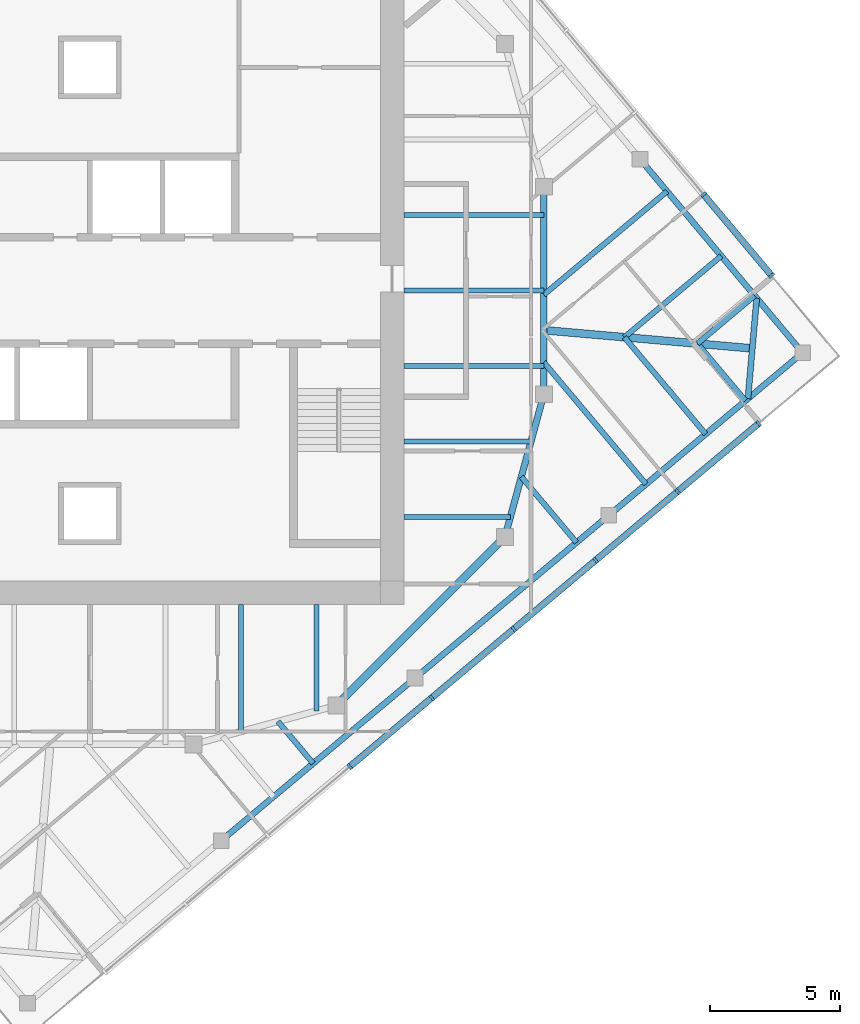
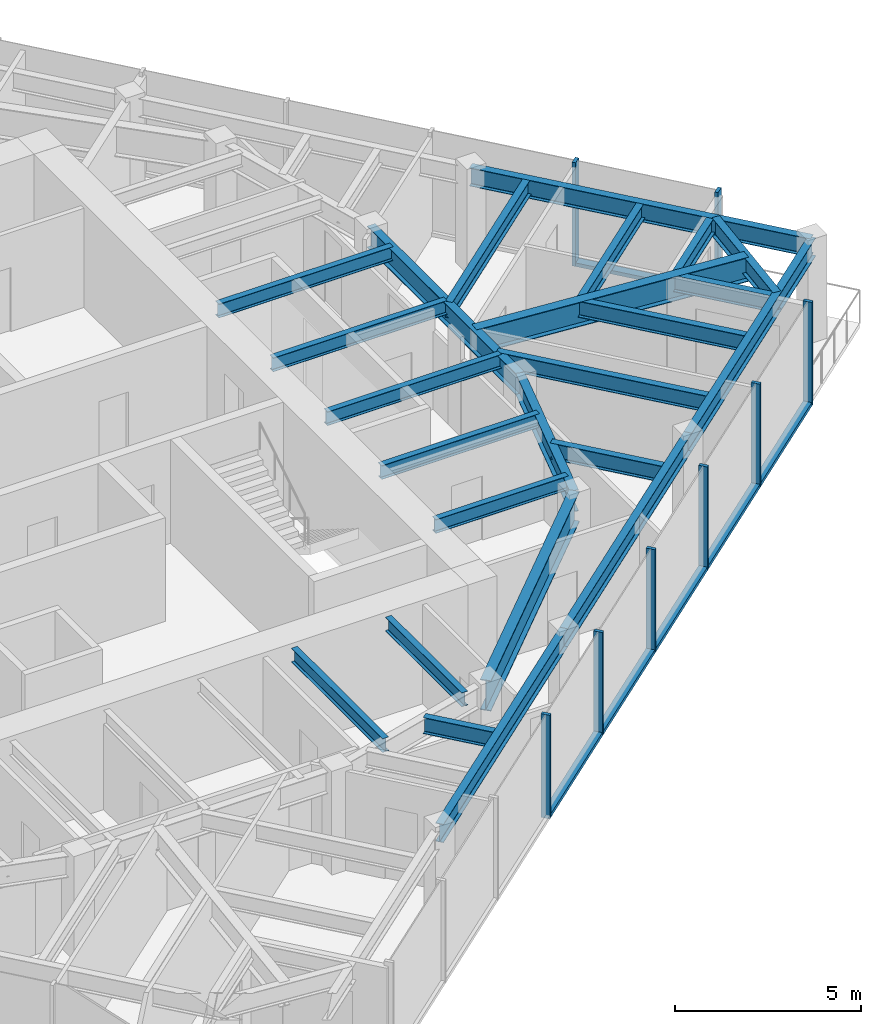
# One storey, part 3 of 11: 24 beams, 14 members, 2 elements without a shape of their own.
"""IFC4 building model written with IfcOpenShell, lengths in metres."""

from ifc_helpers import new_model, si_unit, direction, frame, origin, origin_2d, place, context, subcontext, project, spatial, rectangle, i_section, extrude, material, material_profile, profile_set, type_object, element, aggregate, save


model = new_model("IFC4")

# Units and contexts
model_context = context("Model", 3, precision=1e-05, world=origin(), true_north=direction((0.0, 1.0)))
body_context = subcontext(model_context, "Body", "Model", "MODEL_VIEW")
ifc_project = project(units=[si_unit("LENGTHUNIT", "METRE"), si_unit("AREAUNIT", "SQUARE_METRE"), si_unit("VOLUMEUNIT", "CUBIC_METRE"), si_unit("PLANEANGLEUNIT", "RADIAN"), si_unit("MASSUNIT", "GRAM", prefix="KILO")], contexts=[model_context])

# Site, building, storey
site_placement = place(None, origin())
site = spatial("IfcSite", under=ifc_project, at=site_placement, CompositionType="ELEMENT")
building_placement = place(site_placement, origin())
building = spatial("IfcBuilding", under=site, at=building_placement, Name="Torsade Residences", CompositionType="ELEMENT")
storey_placement = place(building_placement, frame((0.0, 0.0, 276.0)))
storey = spatial("IfcBuildingStorey", under=building, at=storey_placement, Name="L76", CompositionType="ELEMENT", Elevation=276.0)

# Beams
ifc_material_1 = material(Name="Steel grade 300", Category="steel")
ifc_material_profile_1 = material_profile(ifc_material_1, i_section(OverallWidth=0.300048828125, OverallDepth=0.800048828125, WebThickness=0.010009765625, FlangeThickness=0.02001953125, at=origin_2d()), Name="800WB146")
ifc_profile_set_1 = profile_set([ifc_material_profile_1], Name="Steel grade 300")
beam_type_1 = type_object("IfcBeamType", Name="CORNER GIRDER 800WB146", PredefinedType="BEAM", material=ifc_profile_set_1)
beam_1_placement = place(storey_placement, frame((65.53515625, 27.765869140625, 2.85009765625), z_axis=(-0.996193191806, 0.087172957961, 0.0), x_axis=(-0.087172957961, -0.996193191806, 0.0)))
element("IfcBeam", 1, at=beam_1_placement, inside=storey, type_object=beam_type_1, Name="Corner girder 05 L77", PredefinedType="BEAM", context=body_context, shape_type="SweptSolid", body=[
    extrude(i_section(OverallWidth=0.300048828125, OverallDepth=0.800048828125, WebThickness=0.010009765625, FlangeThickness=0.02001953125, at=origin_2d()), origin(), (0.0, 0.0, 1.0), 8.06591796875),
])
ifc_material_2 = material(Name="Steel grade 300", Category="steel")
ifc_material_profile_2 = material_profile(ifc_material_2, i_section(OverallWidth=0.22802734375, OverallDepth=0.60205078125, WebThickness=0.010498046875, FlangeThickness=0.014892578125, FilletRadius=0.013916015625, at=origin_2d()), Name="610UB101")
ifc_profile_set_2 = profile_set([ifc_material_profile_2], Name="Steel grade 300")
beam_type_2 = type_object("IfcBeamType", Name="CORNER TRIMMER 610UB101", PredefinedType="BEAM", material=ifc_profile_set_2)
beam_2_placement = place(storey_placement, frame((65.70458984375, 29.703125, 2.948974609375), z_axis=(-0.087133464362, -0.996196646947, 0.0), x_axis=(0.996196646947, -0.087133464362, 0.0)))
element("IfcBeam", 2, at=beam_2_placement, inside=storey, type_object=beam_type_2, Name="Corner trimmer 05 L77", PredefinedType="BEAM", context=body_context, shape_type="SweptSolid", body=[
    extrude(i_section(OverallWidth=0.22802734375, OverallDepth=0.60205078125, WebThickness=0.010498046875, FlangeThickness=0.014892578125, FilletRadius=0.013916015625, at=origin_2d()), origin(), (0.0, 0.0, 1.0), 3.88916015625),
])
ifc_material_3 = material(Name="Steel grade 300", Category="steel")
ifc_material_profile_3 = material_profile(ifc_material_3, i_section(OverallWidth=0.22802734375, OverallDepth=0.60205078125, WebThickness=0.010498046875, FlangeThickness=0.014892578125, FilletRadius=0.013916015625, at=origin_2d()), Name="610UB101")
ifc_profile_set_3 = profile_set([ifc_material_profile_3], Name="Steel grade 300")
beam_type_3 = type_object("IfcBeamType", Name="EDGE BEAM 610UB101", PredefinedType="SPANDREL", material=ifc_profile_set_3)
for number, where, z_axis, x_axis, name in (
    (3, (45.0654296875, 8.794921875, 2.948974609375), (0.766051532934, 0.642779160279, 0.0), (-0.642779160279, 0.766051532934, 0.0), "Edge beam 02 L77"),
    (4, (52.534423828125, 15.06201171875, 2.948974609375), (0.766028856906, 0.642806184154, 0.0), (-0.642806184154, 0.766028856906, 0.0), "Edge beam 03 L77"),
    (5, (60.003173828125, 21.329345703125, 2.948974609375), (0.766051532934, 0.642779160279, 0.0), (-0.642779160279, 0.766051532934, 0.0), "Edge beam 04 L77"),
    (6, (67.47216796875, 27.596435546875, 2.948974609375), (-0.642779160279, 0.766051532934, 0.0), (-0.766051532934, -0.642779160279, 0.0), "Edge beam 05 L77"),
):
    element("IfcBeam", number, at=place(storey_placement, frame(where, z_axis=z_axis, x_axis=x_axis)), inside=storey, type_object=beam_type_3, Name=name, PredefinedType="SPANDREL", context=body_context, shape_type="SweptSolid", body=[
        extrude(i_section(OverallWidth=0.22802734375, OverallDepth=0.60205078125, WebThickness=0.010498046875, FlangeThickness=0.014892578125, FilletRadius=0.013916015625, at=origin_2d()), origin(), (0.0, 0.0, 1.0), 9.75),
    ])

# Curtain wall, members
ifc_material_4 = material(Name="Aluminium and glass", Category="aluminium")
curtain_wall_type = type_object("IfcCurtainWallType", Name="FRITTED GLASS CURTAIN WALL HIGH ZONE", PredefinedType="NOTDEFINED", material=ifc_material_4)
curtain_wall_1_placement = place(storey_placement, origin())
curtain_wall_1 = element("IfcCurtainWall", 7, at=curtain_wall_1_placement, inside=storey, type_object=curtain_wall_type, Name="Curtain wall L76 face 1", PredefinedType="NOTDEFINED")
ifc_material_5 = material(Name="Aluminium mullion", Category="aluminium")
ifc_material_profile_4 = material_profile(ifc_material_5, rectangle(XDim=0.25, YDim=0.10009765625, at=origin_2d()), Name="HIGH ZONE CURTAIN WALL MULLION 250x100")
ifc_profile_set_4 = profile_set([ifc_material_profile_4], Name="Aluminium mullion")
member_type_1 = type_object("IfcMemberType", Name="HIGH ZONE CURTAIN WALL MULLION 250x100", PredefinedType="MULLION", material=ifc_profile_set_4)
member_1_placement = place(storey_placement, frame((50.017333984375, 11.64453125, 0.0), z_axis=(0.0, 0.0, 1.0), x_axis=(-0.642787616853, 0.766044437106, 0.0)))
member_1 = element("IfcMember", 8, at=member_1_placement, type_object=member_type_1, Name="Mullion 4", PredefinedType="MULLION", context=body_context, shape_type="SweptSolid", body=[
    extrude(rectangle(XDim=0.25, YDim=0.10009765625, at=origin_2d()), origin(), (0.0, 0.0, 1.0), 3.39990234375),
])
member_2_placement = place(storey_placement, frame((53.17724609375, 14.296142578125, 0.0), z_axis=(0.0, 0.0, 1.0), x_axis=(-0.642787616853, 0.766044437106, 0.0)))
member_2 = element("IfcMember", 9, at=member_2_placement, type_object=member_type_1, Name="Mullion 5", PredefinedType="MULLION", context=body_context, shape_type="SweptSolid", body=[
    extrude(rectangle(XDim=0.25, YDim=0.10009765625, at=origin_2d()), origin(), (0.0, 0.0, 1.0), 3.39990234375),
])
member_3_placement = place(storey_placement, frame((56.337158203125, 16.947509765625, 0.0), z_axis=(0.0, 0.0, 1.0), x_axis=(-0.642787616853, 0.766044437106, 0.0)))
member_3 = element("IfcMember", 10, at=member_3_placement, type_object=member_type_1, Name="Mullion 6", PredefinedType="MULLION", context=body_context, shape_type="SweptSolid", body=[
    extrude(rectangle(XDim=0.25, YDim=0.10009765625, at=origin_2d()), origin(), (0.0, 0.0, 1.0), 3.39990234375),
])
member_4_placement = place(storey_placement, frame((59.4970703125, 19.59912109375, 0.0), z_axis=(0.0, 0.0, 1.0), x_axis=(-0.642787616853, 0.766044437106, 0.0)))
member_4 = element("IfcMember", 11, at=member_4_placement, type_object=member_type_1, Name="Mullion 7", PredefinedType="MULLION", context=body_context, shape_type="SweptSolid", body=[
    extrude(rectangle(XDim=0.25, YDim=0.10009765625, at=origin_2d()), origin(), (0.0, 0.0, 1.0), 3.39990234375),
])
member_5_placement = place(storey_placement, frame((62.656982421875, 22.25048828125, 0.0), z_axis=(0.0, 0.0, 1.0), x_axis=(-0.642787616853, 0.766044437106, 0.0)))
member_5 = element("IfcMember", 12, at=member_5_placement, type_object=member_type_1, Name="Mullion 8", PredefinedType="MULLION", context=body_context, shape_type="SweptSolid", body=[
    extrude(rectangle(XDim=0.25, YDim=0.10009765625, at=origin_2d()), origin(), (0.0, 0.0, 1.0), 3.39990234375),
])
member_6_placement = place(storey_placement, frame((65.778564453125, 24.869873046875, 0.0), z_axis=(0.0, 0.0, 1.0), x_axis=(-0.642787616853, 0.766044437106, 0.0)))
member_6 = element("IfcMember", 13, at=member_6_placement, type_object=member_type_1, Name="Mullion 9", PredefinedType="MULLION", context=body_context, shape_type="SweptSolid", body=[
    extrude(rectangle(XDim=0.25, YDim=0.10009765625, at=origin_2d()), origin(), (0.0, 0.0, 1.0), 3.39990234375),
])

curtain_wall_2_placement = place(storey_placement, origin())
curtain_wall_2 = element("IfcCurtainWall", 14, at=curtain_wall_2_placement, inside=storey, type_object=curtain_wall_type, Name="Curtain wall L76 face 4", PredefinedType="NOTDEFINED")
member_7_placement = place(storey_placement, frame((66.27783203125, 30.57568359375, 0.0), z_axis=(0.0, 0.0, 1.0), x_axis=(-0.766044437106, -0.642787616853, 0.0)))
member_7 = element("IfcMember", 15, at=member_7_placement, type_object=member_type_1, Name="Mullion 1", PredefinedType="MULLION", context=body_context, shape_type="SweptSolid", body=[
    extrude(rectangle(XDim=0.25, YDim=0.10009765625, at=origin_2d()), origin(), (0.0, 0.0, 1.0), 3.39990234375),
])
member_8_placement = place(storey_placement, frame((63.658447265625, 33.697265625, 0.0), z_axis=(0.0, 0.0, 1.0), x_axis=(-0.766044437106, -0.642787616853, 0.0)))
member_8 = element("IfcMember", 16, at=member_8_placement, type_object=member_type_1, Name="Mullion 2", PredefinedType="MULLION", context=body_context, shape_type="SweptSolid", body=[
    extrude(rectangle(XDim=0.25, YDim=0.10009765625, at=origin_2d()), origin(), (0.0, 0.0, 1.0), 3.39990234375),
])

# Member
ifc_material_6 = material(Name="Aluminium transom", Category="aluminium")
ifc_material_profile_5 = material_profile(ifc_material_6, rectangle(XDim=0.25, YDim=0.1201171875, at=origin_2d()), Name="HIGH ZONE CURTAIN WALL TRANSOM 250x120")
ifc_profile_set_5 = profile_set([ifc_material_profile_5], Name="Aluminium transom")
member_type_2 = type_object("IfcMemberType", Name="HIGH ZONE CURTAIN WALL TRANSOM 250x120", PredefinedType="USERDEFINED", material=ifc_profile_set_5)
member_9_placement = place(storey_placement, frame((50.055419921875, 11.6767578125, 0.06005859375), z_axis=(0.766069182322, 0.6427581255, 0.0), x_axis=(-0.6427581255, 0.766069182322, 0.0)))
member_9 = element("IfcMember", 17, at=member_9_placement, type_object=member_type_2, Name="Transom 4.1", ObjectType="TRANSOM", PredefinedType="USERDEFINED", context=body_context, shape_type="SweptSolid", body=[
    extrude(rectangle(XDim=0.25, YDim=0.1201171875, at=origin_2d()), origin(), (0.0, 0.0, 1.0), 4.025146484375),
])

member_10_placement = place(storey_placement, frame((53.21533203125, 14.328125, 0.06005859375), z_axis=(0.766039316443, 0.642793719372, 0.0), x_axis=(-0.642793719372, 0.766039316443, 0.0)))
member_10 = element("IfcMember", 18, at=member_10_placement, type_object=member_type_2, Name="Transom 5.1", ObjectType="TRANSOM", PredefinedType="USERDEFINED", context=body_context, shape_type="SweptSolid", body=[
    extrude(rectangle(XDim=0.25, YDim=0.1201171875, at=origin_2d()), origin(), (0.0, 0.0, 1.0), 4.025146484375),
])

member_11_placement = place(storey_placement, frame((56.37548828125, 16.979736328125, 0.06005859375), z_axis=(0.766044121803, 0.642787992616, 0.0), x_axis=(-0.642787992616, 0.766044121803, 0.0)))
member_11 = element("IfcMember", 19, at=member_11_placement, type_object=member_type_2, Name="Transom 6.1", ObjectType="TRANSOM", PredefinedType="USERDEFINED", context=body_context, shape_type="SweptSolid", body=[
    extrude(rectangle(XDim=0.25, YDim=0.1201171875, at=origin_2d()), origin(), (0.0, 0.0, 1.0), 4.02490234375),
])

member_12_placement = place(storey_placement, frame((59.535400390625, 19.63134765625, 0.06005859375), z_axis=(0.766044121803, 0.642787992616, 0.0), x_axis=(-0.642787992616, 0.766044121803, 0.0)))
member_12 = element("IfcMember", 20, at=member_12_placement, type_object=member_type_2, Name="Transom 7.1", ObjectType="TRANSOM", PredefinedType="USERDEFINED", context=body_context, shape_type="SweptSolid", body=[
    extrude(rectangle(XDim=0.25, YDim=0.1201171875, at=origin_2d()), origin(), (0.0, 0.0, 1.0), 4.02490234375),
])

member_13_placement = place(storey_placement, frame((62.6953125, 22.28271484375, 0.06005859375), z_axis=(0.766021778456, 0.642814619413, 0.0), x_axis=(-0.642814619413, 0.766021778456, 0.0)))
member_13 = element("IfcMember", 21, at=member_13_placement, type_object=member_type_2, Name="Transom 8.1", ObjectType="TRANSOM", PredefinedType="USERDEFINED", context=body_context, shape_type="SweptSolid", body=[
    extrude(rectangle(XDim=0.25, YDim=0.1201171875, at=origin_2d()), origin(), (0.0, 0.0, 1.0), 3.97509765625),
])

aggregate(curtain_wall_1, [member_1, member_2, member_3, member_4, member_5, member_6, member_9, member_10, member_11, member_12, member_13])

member_14_placement = place(storey_placement, frame((66.24560546875, 30.614013671875, 0.06005859375), z_axis=(-0.642814619413, 0.766021778456, 0.0), x_axis=(-0.766021778456, -0.642814619413, 0.0)))
member_14 = element("IfcMember", 22, at=member_14_placement, type_object=member_type_2, Name="Transom 1.1", ObjectType="TRANSOM", PredefinedType="USERDEFINED", context=body_context, shape_type="SweptSolid", body=[
    extrude(rectangle(XDim=0.25, YDim=0.1201171875, at=origin_2d()), origin(), (0.0, 0.0, 1.0), 3.97509765625),
])

aggregate(curtain_wall_2, [member_7, member_8, member_14])

# Beams
ifc_material_7 = material(Name="Steel grade 300", Category="steel")
ifc_material_profile_6 = material_profile(ifc_material_7, i_section(OverallWidth=0.18994140625, OverallDepth=0.4541015625, WebThickness=0.008544921875, FlangeThickness=0.0126953125, FilletRadius=0.011474609375, at=origin_2d()), Name="460UB67.1")
ifc_profile_set_6 = profile_set([ifc_material_profile_6], Name="Steel grade 300")
beam_type_4 = type_object("IfcBeamType", Name="INNER FLOOR BEAM 460UB67.1", PredefinedType="JOIST", material=ifc_profile_set_6)
beam_3_placement = place(storey_placement, frame((48.737548828125, 17.89990234375, 3.02294921875), z_axis=(0.0, -1.0, 0.0), x_axis=(1.0, 0.0, 0.0)))
element("IfcBeam", 23, at=beam_3_placement, inside=storey, type_object=beam_type_4, Name="Inner floor beam IS01 L77", PredefinedType="JOIST", context=body_context, shape_type="SweptSolid", body=[
    extrude(i_section(OverallWidth=0.18994140625, OverallDepth=0.4541015625, WebThickness=0.008544921875, FlangeThickness=0.0126953125, FilletRadius=0.011474609375, at=origin_2d()), origin(), (0.0, 0.0, 1.0), 4.10791015625),
])
beam_4_placement = place(storey_placement, frame((45.824951171875, 17.89990234375, 3.02294921875), z_axis=(0.0, -1.0, 0.0), x_axis=(1.0, 0.0, 0.0)))
element("IfcBeam", 24, at=beam_4_placement, inside=storey, type_object=beam_type_4, Name="Inner floor beam IS02 L77", PredefinedType="JOIST", context=body_context, shape_type="SweptSolid", body=[
    extrude(i_section(OverallWidth=0.18994140625, OverallDepth=0.4541015625, WebThickness=0.008544921875, FlangeThickness=0.0126953125, FilletRadius=0.011474609375, at=origin_2d()), origin(), (0.0, 0.0, 1.0), 4.902099609375),
])
beam_5_placement = place(storey_placement, frame((52.10009765625, 21.262451171875, 3.02294921875), z_axis=(1.0, 0.0, 0.0), x_axis=(0.0, 1.0, 0.0)))
element("IfcBeam", 25, at=beam_5_placement, inside=storey, type_object=beam_type_4, Name="Inner floor beam IE01 L77", PredefinedType="JOIST", context=body_context, shape_type="SweptSolid", body=[
    extrude(i_section(OverallWidth=0.18994140625, OverallDepth=0.4541015625, WebThickness=0.008544921875, FlangeThickness=0.0126953125, FilletRadius=0.011474609375, at=origin_2d()), origin(), (0.0, 0.0, 1.0), 4.10791015625),
])
beam_6_placement = place(storey_placement, frame((52.10009765625, 24.175048828125, 3.02294921875), z_axis=(1.0, 0.0, 0.0), x_axis=(0.0, 1.0, 0.0)))
element("IfcBeam", 26, at=beam_6_placement, inside=storey, type_object=beam_type_4, Name="Inner floor beam IE02 L77", PredefinedType="JOIST", context=body_context, shape_type="SweptSolid", body=[
    extrude(i_section(OverallWidth=0.18994140625, OverallDepth=0.4541015625, WebThickness=0.008544921875, FlangeThickness=0.0126953125, FilletRadius=0.011474609375, at=origin_2d()), origin(), (0.0, 0.0, 1.0), 4.902099609375),
])
for number, where, z_axis, x_axis, name in (
    (27, (52.10009765625, 27.08740234375, 3.02294921875), (1.0, 0.0, 0.0), (0.0, 1.0, 0.0), "Inner floor beam IE03 L77"),
    (28, (52.10009765625, 30.0, 3.02294921875), (1.0, 0.0, 0.0), (0.0, 1.0, 0.0), "Inner floor beam IE04 L77"),
    (29, (52.10009765625, 32.91259765625, 3.02294921875), (1.0, 0.0, 0.0), (0.0, 1.0, 0.0), "Inner floor beam IE05 L77"),
):
    element("IfcBeam", number, at=place(storey_placement, frame(where, z_axis=z_axis, x_axis=x_axis)), inside=storey, type_object=beam_type_4, Name=name, PredefinedType="JOIST", context=body_context, shape_type="SweptSolid", body=[
        extrude(i_section(OverallWidth=0.18994140625, OverallDepth=0.4541015625, WebThickness=0.008544921875, FlangeThickness=0.0126953125, FilletRadius=0.011474609375, at=origin_2d()), origin(), (0.0, 0.0, 1.0), 5.39990234375),
    ])
ifc_material_8 = material(Name="Steel grade 300", Category="steel")
ifc_material_profile_7 = material_profile(ifc_material_8, i_section(OverallWidth=0.300048828125, OverallDepth=1.0, WebThickness=0.01611328125, FlangeThickness=0.028076171875, at=origin_2d()), Name="1000WB215")
ifc_profile_set_7 = profile_set([ifc_material_profile_7], Name="Steel grade 300")
beam_type_5 = type_object("IfcBeamType", Name="RING CORNER GIRDER 1000WB215", PredefinedType="BEAM", material=ifc_profile_set_7)
beam_7_placement = place(storey_placement, frame((49.5, 14.0, 2.75), z_axis=(0.707106781187, 0.707106781187, 0.0), x_axis=(-0.707106781187, 0.707106781187, 0.0)))
element("IfcBeam", 30, at=beam_7_placement, inside=storey, type_object=beam_type_5, Name="Ring girder IR15 L77", PredefinedType="BEAM", context=body_context, shape_type="SweptSolid", body=[
    extrude(i_section(OverallWidth=0.300048828125, OverallDepth=1.0, WebThickness=0.01611328125, FlangeThickness=0.028076171875, at=origin_2d()), origin(), (0.0, 0.0, 1.0), 9.1923828125),
])
ifc_material_9 = material(Name="Steel grade 300", Category="steel")
ifc_material_profile_8 = material_profile(ifc_material_9, i_section(OverallWidth=0.25, OverallDepth=0.699951171875, WebThickness=0.010009765625, FlangeThickness=0.02001953125, at=origin_2d()), Name="700WB130")
ifc_profile_set_8 = profile_set([ifc_material_profile_8], Name="Steel grade 300")
beam_type_6 = type_object("IfcBeamType", Name="RING GIRDER 700WB130", PredefinedType="BEAM", material=ifc_profile_set_8)
beam_8_placement = place(storey_placement, frame((57.5, 26.0, 2.89990234375), z_axis=(0.0, 1.0, 0.0), x_axis=(-1.0, 0.0, 0.0)))
element("IfcBeam", 31, at=beam_8_placement, inside=storey, type_object=beam_type_6, Name="Ring girder IR01 L77", PredefinedType="BEAM", context=body_context, shape_type="SweptSolid", body=[
    extrude(i_section(OverallWidth=0.25, OverallDepth=0.699951171875, WebThickness=0.010009765625, FlangeThickness=0.02001953125, at=origin_2d()), origin(), (0.0, 0.0, 1.0), 8.0),
])
beam_9_placement = place(storey_placement, frame((56.0, 20.5, 2.89990234375), z_axis=(0.263117405792, 0.964763821238, 0.0), x_axis=(-0.964763821238, 0.263117405792, 0.0)))
element("IfcBeam", 32, at=beam_9_placement, inside=storey, type_object=beam_type_6, Name="Ring girder IR16 L77", PredefinedType="BEAM", context=body_context, shape_type="SweptSolid", body=[
    extrude(i_section(OverallWidth=0.25, OverallDepth=0.699951171875, WebThickness=0.010009765625, FlangeThickness=0.02001953125, at=origin_2d()), origin(), (0.0, 0.0, 1.0), 5.700927734375),
])
ifc_material_10 = material(Name="Steel grade 300", Category="steel")
ifc_material_profile_9 = material_profile(ifc_material_10, i_section(OverallWidth=0.208984375, OverallDepth=0.532958984375, WebThickness=0.01025390625, FlangeThickness=0.015625, FilletRadius=0.013916015625, at=origin_2d()), Name="530UB92.4")
ifc_profile_set_9 = profile_set([ifc_material_profile_9], Name="Steel grade 300")
beam_type_7 = type_object("IfcBeamType", Name="SECONDARY BEAM 530UB92.4", PredefinedType="JOIST", material=ifc_profile_set_9)
beam_10_placement = place(storey_placement, frame((48.6083984375, 11.767822265625, 2.9833984375), z_axis=(-0.642771977004, 0.766057560226, 0.0), x_axis=(-0.766057560226, -0.642771977004, 0.0)))
element("IfcBeam", 33, at=beam_10_placement, inside=storey, type_object=beam_type_7, Name="Floor beam FS05 L77", PredefinedType="JOIST", context=body_context, shape_type="SweptSolid", body=[
    extrude(i_section(OverallWidth=0.208984375, OverallDepth=0.532958984375, WebThickness=0.01025390625, FlangeThickness=0.015625, FilletRadius=0.013916015625, at=origin_2d()), origin(), (0.0, 0.0, 1.0), 2.113037109375),
])
beam_11_placement = place(storey_placement, frame((58.758544921875, 20.28466796875, 2.9833984375), z_axis=(-0.642786956891, 0.766044990879, 0.0), x_axis=(-0.766044990879, -0.642786956891, 0.0)))
element("IfcBeam", 34, at=beam_11_placement, inside=storey, type_object=beam_type_7, Name="Floor beam FS09 L77", PredefinedType="JOIST", context=body_context, shape_type="SweptSolid", body=[
    extrude(i_section(OverallWidth=0.208984375, OverallDepth=0.532958984375, WebThickness=0.01025390625, FlangeThickness=0.015625, FilletRadius=0.013916015625, at=origin_2d()), origin(), (0.0, 0.0, 1.0), 3.307861328125),
])
beam_12_placement = place(storey_placement, frame((61.439697265625, 22.534423828125, 2.9833984375), z_axis=(-0.642794037701, 0.766039049329, 0.0), x_axis=(-0.766039049329, -0.642794037701, 0.0)))
element("IfcBeam", 35, at=beam_12_placement, inside=storey, type_object=beam_type_7, Name="Floor beam FS10 L77", PredefinedType="JOIST", context=body_context, shape_type="SweptSolid", body=[
    extrude(i_section(OverallWidth=0.208984375, OverallDepth=0.532958984375, WebThickness=0.01025390625, FlangeThickness=0.015625, FilletRadius=0.013916015625, at=origin_2d()), origin(), (0.0, 0.0, 1.0), 6.12890625),
])
beam_13_placement = place(storey_placement, frame((63.73779296875, 24.462890625, 2.9833984375), z_axis=(-0.642791490223, 0.766041186946, 0.0), x_axis=(-0.766041186946, -0.642791490223, 0.0)))
element("IfcBeam", 36, at=beam_13_placement, inside=storey, type_object=beam_type_7, Name="Floor beam FS11 L77", PredefinedType="JOIST", context=body_context, shape_type="SweptSolid", body=[
    extrude(i_section(OverallWidth=0.208984375, OverallDepth=0.532958984375, WebThickness=0.01025390625, FlangeThickness=0.015625, FilletRadius=0.013916015625, at=origin_2d()), origin(), (0.0, 0.0, 1.0), 4.875),
])
for number, where, z_axis, x_axis, name in (
    (37, (65.269775390625, 25.74853515625, 2.9833984375), (-0.642761807001, 0.766066093402, 0.0), (-0.766066093402, -0.642761807001, 0.0), "Floor beam FS12 L77"),
    (38, (65.624267578125, 29.798828125, 2.9833984375), (-0.766066093402, -0.642761807001, 0.0), (0.642761807001, -0.766066093402, 0.0), "Floor beam FE01 L77"),
):
    element("IfcBeam", number, at=place(storey_placement, frame(where, z_axis=z_axis, x_axis=x_axis)), inside=storey, type_object=beam_type_7, Name=name, PredefinedType="JOIST", context=body_context, shape_type="SweptSolid", body=[
        extrude(i_section(OverallWidth=0.208984375, OverallDepth=0.532958984375, WebThickness=0.01025390625, FlangeThickness=0.015625, FilletRadius=0.013916015625, at=origin_2d()), origin(), (0.0, 0.0, 1.0), 2.875),
    ])
beam_14_placement = place(storey_placement, frame((64.338623046875, 31.3310546875, 2.9833984375), z_axis=(-0.766016526982, -0.642820877376, 0.0), x_axis=(0.642820877376, -0.766016526982, 0.0)))
element("IfcBeam", 39, at=beam_14_placement, inside=storey, type_object=beam_type_7, Name="Floor beam FE02 L77", PredefinedType="JOIST", context=body_context, shape_type="SweptSolid", body=[
    extrude(i_section(OverallWidth=0.208984375, OverallDepth=0.532958984375, WebThickness=0.01025390625, FlangeThickness=0.015625, FilletRadius=0.013916015625, at=origin_2d()), origin(), (0.0, 0.0, 1.0), 4.875),
])
beam_15_placement = place(storey_placement, frame((62.24951171875, 33.820556640625, 2.9833984375), z_axis=(-0.766041422722, -0.642791209238, 0.0), x_axis=(0.642791209238, -0.766041422722, 0.0)))
element("IfcBeam", 40, at=beam_15_placement, inside=storey, type_object=beam_type_7, Name="Floor beam FE03 L77", PredefinedType="JOIST", context=body_context, shape_type="SweptSolid", body=[
    extrude(i_section(OverallWidth=0.208984375, OverallDepth=0.532958984375, WebThickness=0.01025390625, FlangeThickness=0.015625, FilletRadius=0.013916015625, at=origin_2d()), origin(), (0.0, 0.0, 1.0), 6.199951171875),
])

save(model, "model.ifc")
